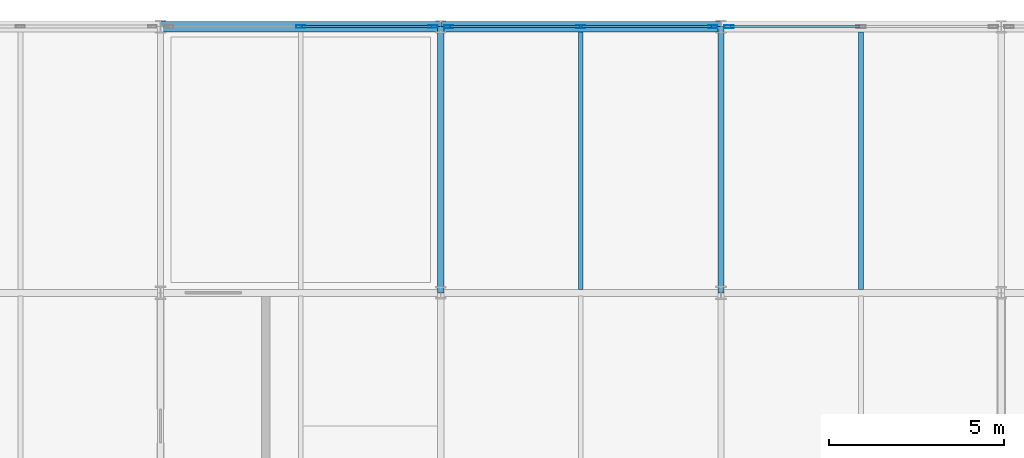
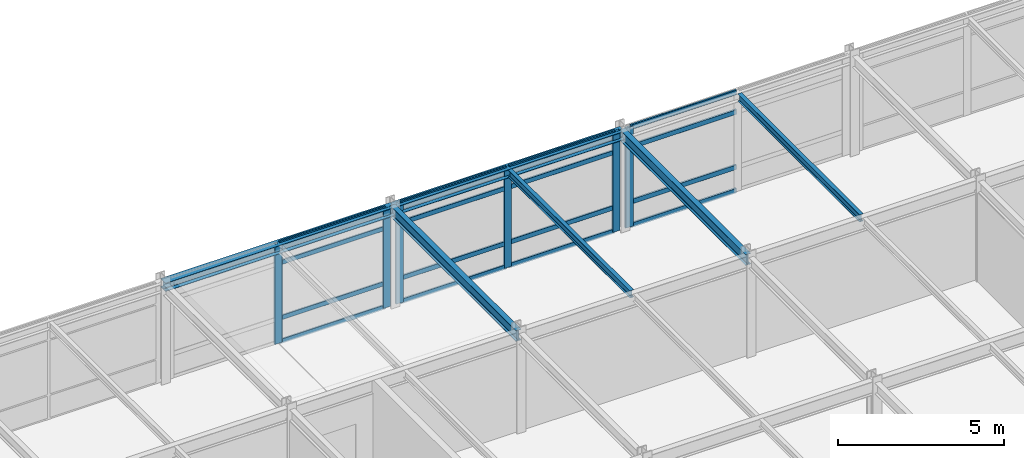
# One storey, part 9 of 16: 22 members, 6 beams, 3 elements without a shape of their own.
"""IFC4 building model written with IfcOpenShell, lengths in metres."""

from ifc_helpers import new_model, si_unit, direction, frame, origin, origin_2d, place, context, subcontext, project, spatial, hollow_rectangle, i_section, extrude, material, layer, layer_set, material_profile, profile_set, type_object, element, aggregate, save


model = new_model("IFC4")

# Units and contexts
model_context = context("Model", 3, precision=1e-05, world=origin(), true_north=direction((0.0, 1.0)))
body_context = subcontext(model_context, "Body", "Model", "MODEL_VIEW")
ifc_project = project(units=[si_unit("LENGTHUNIT", "METRE"), si_unit("AREAUNIT", "SQUARE_METRE"), si_unit("VOLUMEUNIT", "CUBIC_METRE"), si_unit("PLANEANGLEUNIT", "RADIAN"), si_unit("MASSUNIT", "GRAM", prefix="KILO")], contexts=[model_context])

# Site, building, storey
site_placement = place(None, origin())
site = spatial("IfcSite", under=ifc_project, at=site_placement, CompositionType="ELEMENT")
building_placement = place(site_placement, origin())
building = spatial("IfcBuilding", under=site, at=building_placement, Name="Shalkamar Park Central Library", CompositionType="ELEMENT")
storey_placement = place(building_placement, frame((0.0, 0.0, 43.800048828125)))
storey = spatial("IfcBuildingStorey", under=building, at=storey_placement, Name="L11", CompositionType="ELEMENT", Elevation=43.800048828125)

# Beams
ifc_material_1 = material(Name="Steel S355", Category="steel")
ifc_material_profile_1 = material_profile(ifc_material_1, i_section(OverallWidth=0.135009765625, OverallDepth=0.27001953125, WebThickness=0.006591796875, FlangeThickness=0.01025390625, FilletRadius=0.014892578125, at=origin_2d()), Name="IPE 270")
ifc_profile_set_1 = profile_set([ifc_material_profile_1], Name="Steel S355")
beam_type_1 = type_object("IfcBeamType", Name="Composite Floor Joist IPE270", PredefinedType="JOIST", material=ifc_profile_set_1)
for number, where, z_axis, x_axis, name in (
    (1, (193.0, 278.097900390625, 3.544921875), (0.0, 1.0, 0.0), (-1.0, 0.0, 0.0), "Composite Joist 10/F-1 (L11)"),
    (2, (201.0, 278.097900390625, 3.544921875), (0.0, 1.0, 0.0), (-1.0, 0.0, 0.0), "Composite Joist 11/F-1 (L11)"),
):
    element("IfcBeam", number, at=place(storey_placement, frame(where, z_axis=z_axis, x_axis=x_axis)), inside=storey, type_object=beam_type_1, Name=name, PredefinedType="JOIST", context=body_context, shape_type="SweptSolid", body=[
        extrude(i_section(OverallWidth=0.135009765625, OverallDepth=0.27001953125, WebThickness=0.006591796875, FlangeThickness=0.01025390625, FilletRadius=0.014892578125, at=origin_2d()), origin(), (0.0, 0.0, 1.0), 7.35400390625),
    ])

# Curtain wall, members
ifc_material_2 = material(Name="Thermally broken aluminium and triple low-e curtain wall", Category="aluminium")
ifc_layer_1 = layer(ifc_material_2, 0.260009765625)
ifc_layer_set_1 = layer_set([ifc_layer_1], Name="UnitisedCurtainWall_80")
curtain_wall_type_1 = type_object("IfcCurtainWallType", Name="Unitised Curtain Wall 80", PredefinedType="USERDEFINED", material=ifc_layer_set_1)
curtain_wall_1_placement = place(storey_placement, origin())
curtain_wall_1 = element("IfcCurtainWall", 3, at=curtain_wall_1_placement, inside=storey, type_object=curtain_wall_type_1, Name="Unitised Curtain Wall CW-L11-128", ObjectType="UNITISED CURTAIN WALL", PredefinedType="USERDEFINED")
ifc_material_3 = material(Name="Aluminium 6060-T66", Category="aluminium")
ifc_material_profile_2 = material_profile(ifc_material_3, hollow_rectangle(XDim=0.074951171875, YDim=0.260009765625, WallThickness=0.00439453125, InnerFilletRadius=0.00439453125, OuterFilletRadius=0.0068359375, at=origin_2d()), Name="ALU 75x260x4.5")
ifc_profile_set_2 = profile_set([ifc_material_profile_2], Name="Aluminium 6060-T66")
member_type_1 = type_object("IfcMemberType", Name="Curtain Wall Mullion ALU75x260", PredefinedType="MULLION", material=ifc_profile_set_2)
member_1_placement = place(storey_placement, frame((185.00439453125, 285.60009765625, 0.0), z_axis=(0.0, 0.0, 1.0), x_axis=(0.0, 1.0, 0.0)))
member_1 = element("IfcMember", 4, at=member_1_placement, type_object=member_type_1, Name="CW-80 mullion 2", PredefinedType="MULLION", context=body_context, shape_type="SweptSolid", body=[
    extrude(hollow_rectangle(XDim=0.074951171875, YDim=0.260009765625, WallThickness=0.00439453125, InnerFilletRadius=0.00439453125, OuterFilletRadius=0.0068359375, at=origin_2d()), origin(), (0.0, 0.0, 1.0), 3.679931640625),
])
member_2_placement = place(storey_placement, frame((188.779052734375, 285.60009765625, 0.0), z_axis=(0.0, 0.0, 1.0), x_axis=(0.0, 1.0, 0.0)))
member_2 = element("IfcMember", 5, at=member_2_placement, type_object=member_type_1, Name="CW-80 mullion 3", PredefinedType="MULLION", context=body_context, shape_type="SweptSolid", body=[
    extrude(hollow_rectangle(XDim=0.074951171875, YDim=0.260009765625, WallThickness=0.00439453125, InnerFilletRadius=0.00439453125, OuterFilletRadius=0.0068359375, at=origin_2d()), origin(), (0.0, 0.0, 1.0), 3.679931640625),
])

ifc_layer_2 = layer(ifc_material_2, 0.2548828125)
ifc_layer_set_2 = layer_set([ifc_layer_2], Name="UnitisedCurtainWall_75")
curtain_wall_type_2 = type_object("IfcCurtainWallType", Name="Unitised Curtain Wall 75", PredefinedType="USERDEFINED", material=ifc_layer_set_2)
curtain_wall_2_placement = place(storey_placement, origin())
curtain_wall_2 = element("IfcCurtainWall", 6, at=curtain_wall_2_placement, inside=storey, type_object=curtain_wall_type_2, Name="Unitised Curtain Wall CW-L11-129", ObjectType="UNITISED CURTAIN WALL", PredefinedType="USERDEFINED")
ifc_material_profile_3 = material_profile(ifc_material_3, hollow_rectangle(XDim=0.080078125, YDim=0.2548828125, WallThickness=0.00439453125, InnerFilletRadius=0.00439453125, OuterFilletRadius=0.0068359375, at=origin_2d()), Name="ALU 80x255x4.5")
ifc_profile_set_3 = profile_set([ifc_material_profile_3], Name="Aluminium 6060-T66")
member_type_2 = type_object("IfcMemberType", Name="Curtain Wall Mullion ALU80x255", PredefinedType="MULLION", material=ifc_profile_set_3)
member_3_placement = place(storey_placement, frame((189.223388671875, 285.60009765625, 0.0), z_axis=(0.0, 0.0, 1.0), x_axis=(0.0, 1.0, 0.0)))
member_3 = element("IfcMember", 7, at=member_3_placement, type_object=member_type_2, Name="CW-75 mullion 1", PredefinedType="MULLION", context=body_context, shape_type="SweptSolid", body=[
    extrude(hollow_rectangle(XDim=0.080078125, YDim=0.2548828125, WallThickness=0.00439453125, InnerFilletRadius=0.00439453125, OuterFilletRadius=0.0068359375, at=origin_2d()), origin(), (0.0, 0.0, 1.0), 3.679931640625),
])
member_4_placement = place(storey_placement, frame((192.99560546875, 285.60009765625, 0.0), z_axis=(0.0, 0.0, 1.0), x_axis=(0.0, 1.0, 0.0)))
member_4 = element("IfcMember", 8, at=member_4_placement, type_object=member_type_2, Name="CW-75 mullion 2", PredefinedType="MULLION", context=body_context, shape_type="SweptSolid", body=[
    extrude(hollow_rectangle(XDim=0.080078125, YDim=0.2548828125, WallThickness=0.00439453125, InnerFilletRadius=0.00439453125, OuterFilletRadius=0.0068359375, at=origin_2d()), origin(), (0.0, 0.0, 1.0), 3.679931640625),
])
member_5_placement = place(storey_placement, frame((196.767578125, 285.60009765625, 0.0), z_axis=(0.0, 0.0, 1.0), x_axis=(0.0, 1.0, 0.0)))
member_5 = element("IfcMember", 9, at=member_5_placement, type_object=member_type_2, Name="CW-75 mullion 3", PredefinedType="MULLION", context=body_context, shape_type="SweptSolid", body=[
    extrude(hollow_rectangle(XDim=0.080078125, YDim=0.2548828125, WallThickness=0.00439453125, InnerFilletRadius=0.00439453125, OuterFilletRadius=0.0068359375, at=origin_2d()), origin(), (0.0, 0.0, 1.0), 3.679931640625),
])

# Curtain wall, member
ifc_layer_3 = layer(ifc_material_2, 0.27001953125)
ifc_layer_set_3 = layer_set([ifc_layer_3], Name="UnitisedCurtainWall_76")
curtain_wall_type_3 = type_object("IfcCurtainWallType", Name="Unitised Curtain Wall 76", PredefinedType="USERDEFINED", material=ifc_layer_set_3)
curtain_wall_3_placement = place(storey_placement, origin())
curtain_wall_3 = element("IfcCurtainWall", 10, at=curtain_wall_3_placement, inside=storey, type_object=curtain_wall_type_3, Name="Unitised Curtain Wall CW-L11-130", ObjectType="UNITISED CURTAIN WALL", PredefinedType="USERDEFINED")
ifc_material_profile_4 = material_profile(ifc_material_3, hollow_rectangle(XDim=0.080078125, YDim=0.27001953125, WallThickness=0.0048828125, InnerFilletRadius=0.0048828125, OuterFilletRadius=0.007568359375, at=origin_2d()), Name="ALU 80x270x5")
ifc_profile_set_4 = profile_set([ifc_material_profile_4], Name="Aluminium 6060-T66")
member_type_3 = type_object("IfcMemberType", Name="Curtain Wall Mullion ALU80x270", PredefinedType="MULLION", material=ifc_profile_set_4)
member_6_placement = place(storey_placement, frame((197.232421875, 285.60009765625, 0.0), z_axis=(0.0, 0.0, 1.0), x_axis=(0.0, 1.0, 0.0)))
member_6 = element("IfcMember", 11, at=member_6_placement, type_object=member_type_3, Name="CW-76 mullion 1", PredefinedType="MULLION", context=body_context, shape_type="SweptSolid", body=[
    extrude(hollow_rectangle(XDim=0.080078125, YDim=0.27001953125, WallThickness=0.0048828125, InnerFilletRadius=0.0048828125, OuterFilletRadius=0.007568359375, at=origin_2d()), origin(), (0.0, 0.0, 1.0), 3.679931640625),
])

# Member
ifc_material_profile_5 = material_profile(ifc_material_3, hollow_rectangle(XDim=0.06005859375, YDim=0.1650390625, WallThickness=0.00390625, InnerFilletRadius=0.00390625, OuterFilletRadius=0.006103515625, at=origin_2d()), Name="ALU 60x165x4")
ifc_profile_set_5 = profile_set([ifc_material_profile_5], Name="Aluminium 6060-T66")
member_type_4 = type_object("IfcMemberType", Name="Curtain Wall Transom ALU60x165", PredefinedType="USERDEFINED", material=ifc_profile_set_5)
member_7_placement = place(storey_placement, frame((185.0419921875, 285.60009765625, 0.030029296875), z_axis=(1.0, 0.0, 0.0), x_axis=(0.0, 1.0, 0.0)))
member_7 = element("IfcMember", 12, at=member_7_placement, type_object=member_type_4, Name="CW-80 transom 2.1", ObjectType="TRANSOM", PredefinedType="USERDEFINED", context=body_context, shape_type="SweptSolid", body=[
    extrude(hollow_rectangle(XDim=0.06005859375, YDim=0.1650390625, WallThickness=0.00390625, InnerFilletRadius=0.00390625, OuterFilletRadius=0.006103515625, at=origin_2d()), origin(), (0.0, 0.0, 1.0), 3.699462890625),
])

member_8_placement = place(storey_placement, frame((185.0419921875, 285.60009765625, 0.89990234375), z_axis=(1.0, 0.0, 0.0), x_axis=(0.0, 1.0, 0.0)))
member_8 = element("IfcMember", 13, at=member_8_placement, type_object=member_type_4, Name="CW-80 transom 2.2", ObjectType="TRANSOM", PredefinedType="USERDEFINED", context=body_context, shape_type="SweptSolid", body=[
    extrude(hollow_rectangle(XDim=0.06005859375, YDim=0.1650390625, WallThickness=0.00390625, InnerFilletRadius=0.00390625, OuterFilletRadius=0.006103515625, at=origin_2d()), origin(), (0.0, 0.0, 1.0), 3.699462890625),
])

member_9_placement = place(storey_placement, frame((185.0419921875, 285.60009765625, 2.929931640625), z_axis=(1.0, 0.0, 0.0), x_axis=(0.0, 1.0, 0.0)))
member_9 = element("IfcMember", 14, at=member_9_placement, type_object=member_type_4, Name="CW-80 transom 2.3", ObjectType="TRANSOM", PredefinedType="USERDEFINED", context=body_context, shape_type="SweptSolid", body=[
    extrude(hollow_rectangle(XDim=0.06005859375, YDim=0.1650390625, WallThickness=0.00390625, InnerFilletRadius=0.00390625, OuterFilletRadius=0.006103515625, at=origin_2d()), origin(), (0.0, 0.0, 1.0), 3.699462890625),
])

member_10_placement = place(storey_placement, frame((185.0419921875, 285.60009765625, 3.64990234375), z_axis=(1.0, 0.0, 0.0), x_axis=(0.0, 1.0, 0.0)))
member_10 = element("IfcMember", 15, at=member_10_placement, type_object=member_type_4, Name="CW-80 transom 2.4", ObjectType="TRANSOM", PredefinedType="USERDEFINED", context=body_context, shape_type="SweptSolid", body=[
    extrude(hollow_rectangle(XDim=0.06005859375, YDim=0.1650390625, WallThickness=0.00390625, InnerFilletRadius=0.00390625, OuterFilletRadius=0.006103515625, at=origin_2d()), origin(), (0.0, 0.0, 1.0), 3.699462890625),
])

aggregate(curtain_wall_1, [member_1, member_2, member_7, member_8, member_9, member_10])

ifc_material_profile_6 = material_profile(ifc_material_3, hollow_rectangle(XDim=0.06494140625, YDim=0.169921875, WallThickness=0.00390625, InnerFilletRadius=0.00390625, OuterFilletRadius=0.006103515625, at=origin_2d()), Name="ALU 65x170x4")
ifc_profile_set_6 = profile_set([ifc_material_profile_6], Name="Aluminium 6060-T66")
member_type_5 = type_object("IfcMemberType", Name="Curtain Wall Transom ALU65x170", PredefinedType="USERDEFINED", material=ifc_profile_set_6)
member_11_placement = place(storey_placement, frame((189.263427734375, 285.60009765625, 0.032470703125), z_axis=(1.0, 0.0, 0.0), x_axis=(0.0, 1.0, 0.0)))
member_11 = element("IfcMember", 16, at=member_11_placement, type_object=member_type_5, Name="CW-75 transom 1.1", ObjectType="TRANSOM", PredefinedType="USERDEFINED", context=body_context, shape_type="SweptSolid", body=[
    extrude(hollow_rectangle(XDim=0.06494140625, YDim=0.169921875, WallThickness=0.00390625, InnerFilletRadius=0.00390625, OuterFilletRadius=0.006103515625, at=origin_2d()), origin(), (0.0, 0.0, 1.0), 3.692138671875),
])

member_12_placement = place(storey_placement, frame((189.263427734375, 285.60009765625, 0.89990234375), z_axis=(1.0, 0.0, 0.0), x_axis=(0.0, 1.0, 0.0)))
member_12 = element("IfcMember", 17, at=member_12_placement, type_object=member_type_5, Name="CW-75 transom 1.2", ObjectType="TRANSOM", PredefinedType="USERDEFINED", context=body_context, shape_type="SweptSolid", body=[
    extrude(hollow_rectangle(XDim=0.06494140625, YDim=0.169921875, WallThickness=0.00390625, InnerFilletRadius=0.00390625, OuterFilletRadius=0.006103515625, at=origin_2d()), origin(), (0.0, 0.0, 1.0), 3.692138671875),
])

member_13_placement = place(storey_placement, frame((189.263427734375, 285.60009765625, 2.929931640625), z_axis=(1.0, 0.0, 0.0), x_axis=(0.0, 1.0, 0.0)))
member_13 = element("IfcMember", 18, at=member_13_placement, type_object=member_type_5, Name="CW-75 transom 1.3", ObjectType="TRANSOM", PredefinedType="USERDEFINED", context=body_context, shape_type="SweptSolid", body=[
    extrude(hollow_rectangle(XDim=0.06494140625, YDim=0.169921875, WallThickness=0.00390625, InnerFilletRadius=0.00390625, OuterFilletRadius=0.006103515625, at=origin_2d()), origin(), (0.0, 0.0, 1.0), 3.692138671875),
])

member_14_placement = place(storey_placement, frame((189.263427734375, 285.60009765625, 3.6474609375), z_axis=(1.0, 0.0, 0.0), x_axis=(0.0, 1.0, 0.0)))
member_14 = element("IfcMember", 19, at=member_14_placement, type_object=member_type_5, Name="CW-75 transom 1.4", ObjectType="TRANSOM", PredefinedType="USERDEFINED", context=body_context, shape_type="SweptSolid", body=[
    extrude(hollow_rectangle(XDim=0.06494140625, YDim=0.169921875, WallThickness=0.00390625, InnerFilletRadius=0.00390625, OuterFilletRadius=0.006103515625, at=origin_2d()), origin(), (0.0, 0.0, 1.0), 3.692138671875),
])

member_15_placement = place(storey_placement, frame((193.035400390625, 285.60009765625, 0.032470703125), z_axis=(1.0, 0.0, 0.0), x_axis=(0.0, 1.0, 0.0)))
member_15 = element("IfcMember", 20, at=member_15_placement, type_object=member_type_5, Name="CW-75 transom 2.1", ObjectType="TRANSOM", PredefinedType="USERDEFINED", context=body_context, shape_type="SweptSolid", body=[
    extrude(hollow_rectangle(XDim=0.06494140625, YDim=0.169921875, WallThickness=0.00390625, InnerFilletRadius=0.00390625, OuterFilletRadius=0.006103515625, at=origin_2d()), origin(), (0.0, 0.0, 1.0), 3.692138671875),
])

member_16_placement = place(storey_placement, frame((193.035400390625, 285.60009765625, 0.89990234375), z_axis=(1.0, 0.0, 0.0), x_axis=(0.0, 1.0, 0.0)))
member_16 = element("IfcMember", 21, at=member_16_placement, type_object=member_type_5, Name="CW-75 transom 2.2", ObjectType="TRANSOM", PredefinedType="USERDEFINED", context=body_context, shape_type="SweptSolid", body=[
    extrude(hollow_rectangle(XDim=0.06494140625, YDim=0.169921875, WallThickness=0.00390625, InnerFilletRadius=0.00390625, OuterFilletRadius=0.006103515625, at=origin_2d()), origin(), (0.0, 0.0, 1.0), 3.692138671875),
])

member_17_placement = place(storey_placement, frame((193.035400390625, 285.60009765625, 2.929931640625), z_axis=(1.0, 0.0, 0.0), x_axis=(0.0, 1.0, 0.0)))
member_17 = element("IfcMember", 22, at=member_17_placement, type_object=member_type_5, Name="CW-75 transom 2.3", ObjectType="TRANSOM", PredefinedType="USERDEFINED", context=body_context, shape_type="SweptSolid", body=[
    extrude(hollow_rectangle(XDim=0.06494140625, YDim=0.169921875, WallThickness=0.00390625, InnerFilletRadius=0.00390625, OuterFilletRadius=0.006103515625, at=origin_2d()), origin(), (0.0, 0.0, 1.0), 3.692138671875),
])

member_18_placement = place(storey_placement, frame((193.035400390625, 285.60009765625, 3.6474609375), z_axis=(1.0, 0.0, 0.0), x_axis=(0.0, 1.0, 0.0)))
member_18 = element("IfcMember", 23, at=member_18_placement, type_object=member_type_5, Name="CW-75 transom 2.4", ObjectType="TRANSOM", PredefinedType="USERDEFINED", context=body_context, shape_type="SweptSolid", body=[
    extrude(hollow_rectangle(XDim=0.06494140625, YDim=0.169921875, WallThickness=0.00390625, InnerFilletRadius=0.00390625, OuterFilletRadius=0.006103515625, at=origin_2d()), origin(), (0.0, 0.0, 1.0), 3.692138671875),
])

aggregate(curtain_wall_2, [member_3, member_4, member_5, member_11, member_12, member_13, member_14, member_15, member_16, member_17, member_18])

ifc_material_profile_7 = material_profile(ifc_material_3, hollow_rectangle(XDim=0.06494140625, YDim=0.175048828125, WallThickness=0.00439453125, InnerFilletRadius=0.00439453125, OuterFilletRadius=0.0068359375, at=origin_2d()), Name="ALU 65x175x4.5")
ifc_profile_set_7 = profile_set([ifc_material_profile_7], Name="Aluminium 6060-T66")
member_type_6 = type_object("IfcMemberType", Name="Curtain Wall Transom ALU65x175", PredefinedType="USERDEFINED", material=ifc_profile_set_7)
member_19_placement = place(storey_placement, frame((197.2724609375, 285.60009765625, 0.032470703125), z_axis=(1.0, 0.0, 0.0), x_axis=(0.0, 1.0, 0.0)))
member_19 = element("IfcMember", 24, at=member_19_placement, type_object=member_type_6, Name="CW-76 transom 1.1", ObjectType="TRANSOM", PredefinedType="USERDEFINED", context=body_context, shape_type="SweptSolid", body=[
    extrude(hollow_rectangle(XDim=0.06494140625, YDim=0.175048828125, WallThickness=0.00439453125, InnerFilletRadius=0.00439453125, OuterFilletRadius=0.0068359375, at=origin_2d()), origin(), (0.0, 0.0, 1.0), 3.692138671875),
])

member_20_placement = place(storey_placement, frame((197.2724609375, 285.60009765625, 0.89990234375), z_axis=(1.0, 0.0, 0.0), x_axis=(0.0, 1.0, 0.0)))
member_20 = element("IfcMember", 25, at=member_20_placement, type_object=member_type_6, Name="CW-76 transom 1.2", ObjectType="TRANSOM", PredefinedType="USERDEFINED", context=body_context, shape_type="SweptSolid", body=[
    extrude(hollow_rectangle(XDim=0.06494140625, YDim=0.175048828125, WallThickness=0.00439453125, InnerFilletRadius=0.00439453125, OuterFilletRadius=0.0068359375, at=origin_2d()), origin(), (0.0, 0.0, 1.0), 3.692138671875),
])

member_21_placement = place(storey_placement, frame((197.2724609375, 285.60009765625, 2.929931640625), z_axis=(1.0, 0.0, 0.0), x_axis=(0.0, 1.0, 0.0)))
member_21 = element("IfcMember", 26, at=member_21_placement, type_object=member_type_6, Name="CW-76 transom 1.3", ObjectType="TRANSOM", PredefinedType="USERDEFINED", context=body_context, shape_type="SweptSolid", body=[
    extrude(hollow_rectangle(XDim=0.06494140625, YDim=0.175048828125, WallThickness=0.00439453125, InnerFilletRadius=0.00439453125, OuterFilletRadius=0.0068359375, at=origin_2d()), origin(), (0.0, 0.0, 1.0), 3.692138671875),
])

member_22_placement = place(storey_placement, frame((197.2724609375, 285.60009765625, 3.6474609375), z_axis=(1.0, 0.0, 0.0), x_axis=(0.0, 1.0, 0.0)))
member_22 = element("IfcMember", 27, at=member_22_placement, type_object=member_type_6, Name="CW-76 transom 1.4", ObjectType="TRANSOM", PredefinedType="USERDEFINED", context=body_context, shape_type="SweptSolid", body=[
    extrude(hollow_rectangle(XDim=0.06494140625, YDim=0.175048828125, WallThickness=0.00439453125, InnerFilletRadius=0.00439453125, OuterFilletRadius=0.0068359375, at=origin_2d()), origin(), (0.0, 0.0, 1.0), 3.692138671875),
])

aggregate(curtain_wall_3, [member_6, member_19, member_20, member_21, member_22])

# Beams
ifc_material_profile_8 = material_profile(ifc_material_1, i_section(OverallWidth=0.300048828125, OverallDepth=0.31005859375, WebThickness=0.009033203125, FlangeThickness=0.015380859375, FilletRadius=0.027099609375, at=origin_2d()), Name="HEA 320")
ifc_profile_set_8 = profile_set([ifc_material_profile_8], Name="Steel S355")
beam_type_2 = type_object("IfcBeamType", Name="Perimeter Spandrel Beam HEA320", PredefinedType="SPANDREL", material=ifc_profile_set_8)
for number, where, z_axis, x_axis, name in (
    (28, (181.0, 285.60009765625, 3.52490234375), (1.0, 0.0, 0.0), (0.0, 1.0, 0.0), "Beam G:09-10 (L11)"),
    (29, (189.0, 285.60009765625, 3.52490234375), (1.0, 0.0, 0.0), (0.0, 1.0, 0.0), "Beam G:10-11 (L11)"),
):
    element("IfcBeam", number, at=place(storey_placement, frame(where, z_axis=z_axis, x_axis=x_axis)), inside=storey, type_object=beam_type_2, Name=name, PredefinedType="SPANDREL", context=body_context, shape_type="SweptSolid", body=[
        extrude(i_section(OverallWidth=0.300048828125, OverallDepth=0.31005859375, WebThickness=0.009033203125, FlangeThickness=0.015380859375, FilletRadius=0.027099609375, at=origin_2d()), origin(), (0.0, 0.0, 1.0), 8.0),
    ])
ifc_material_profile_9 = material_profile(ifc_material_1, i_section(OverallWidth=0.179931640625, OverallDepth=0.39990234375, WebThickness=0.008544921875, FlangeThickness=0.013427734375, FilletRadius=0.02099609375, at=origin_2d()), Name="IPE 400")
ifc_profile_set_9 = profile_set([ifc_material_profile_9], Name="Steel S355")
beam_type_3 = type_object("IfcBeamType", Name="Primary Girder IPE400", PredefinedType="BEAM", material=ifc_profile_set_9)
for number, where, z_axis, x_axis, name in (
    (30, (189.0, 278.0, 3.47998046875), (0.0, 1.0, 0.0), (-1.0, 0.0, 0.0), "Beam 10:F-G (L11)"),
    (31, (197.0, 278.0, 3.47998046875), (0.0, 1.0, 0.0), (-1.0, 0.0, 0.0), "Beam 11:F-G (L11)"),
):
    element("IfcBeam", number, at=place(storey_placement, frame(where, z_axis=z_axis, x_axis=x_axis)), inside=storey, type_object=beam_type_3, Name=name, PredefinedType="BEAM", context=body_context, shape_type="SweptSolid", body=[
        extrude(i_section(OverallWidth=0.179931640625, OverallDepth=0.39990234375, WebThickness=0.008544921875, FlangeThickness=0.013427734375, FilletRadius=0.02099609375, at=origin_2d()), origin(), (0.0, 0.0, 1.0), 7.60009765625),
    ])

save(model, "model.ifc")
